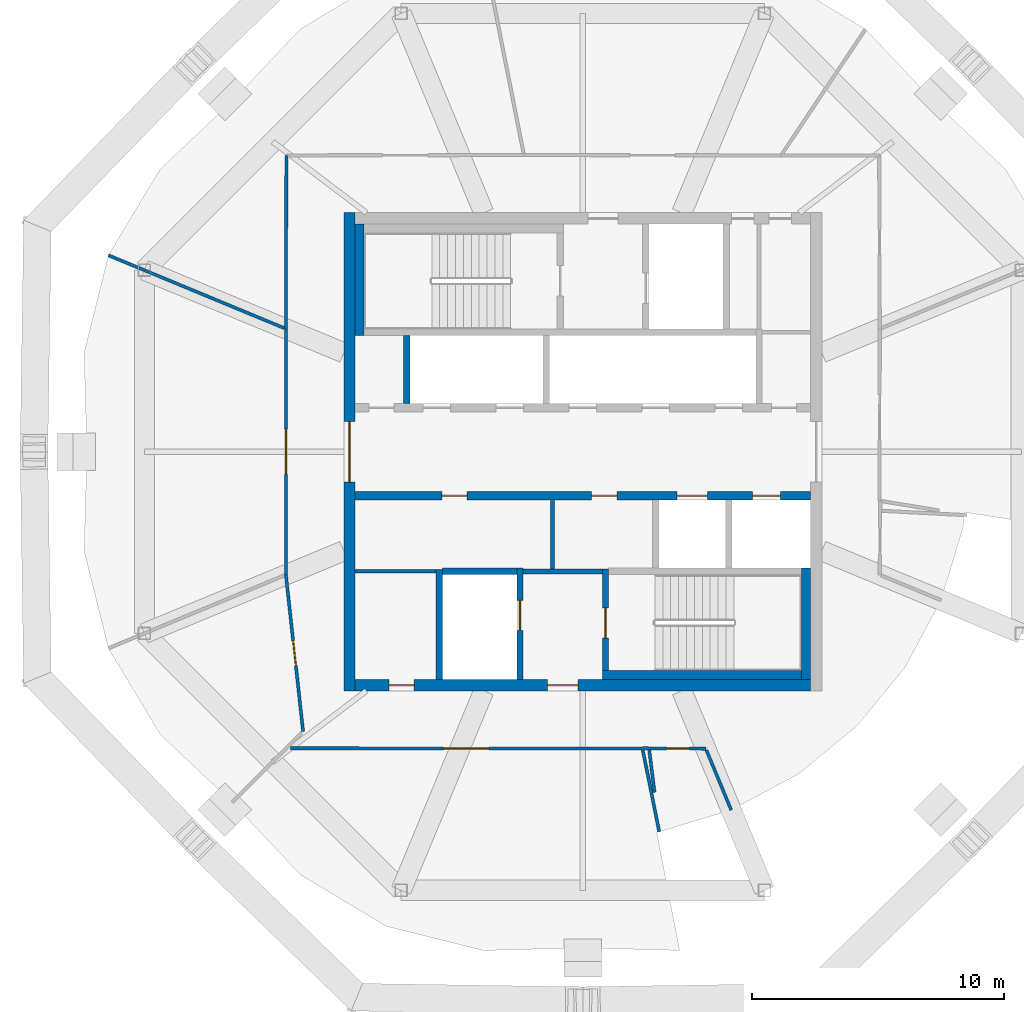
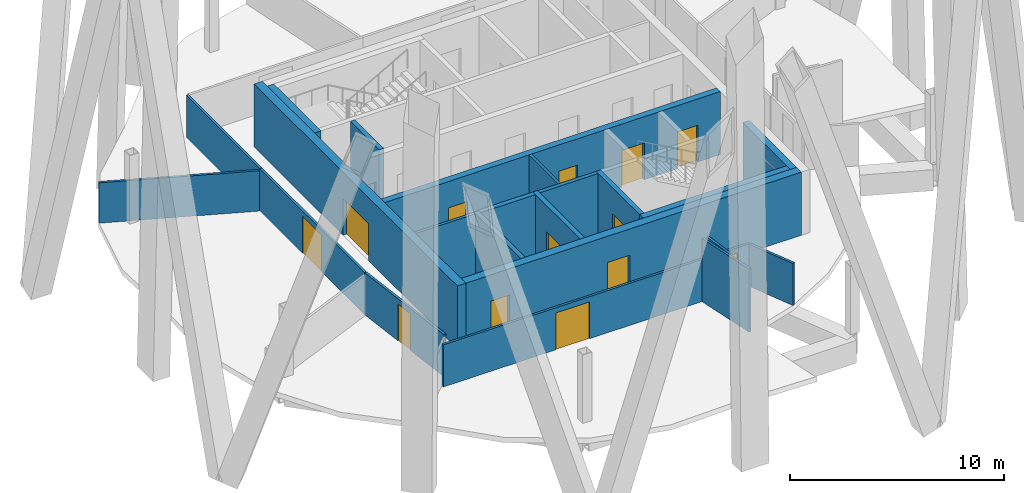
# One storey, part 4 of 11: 23 walls, 13 doors, 13 openings.
"""IFC4 building model written with IfcOpenShell, lengths in metres."""

from ifc_helpers import new_model, si_unit, direction, frame, frame_2d, origin, place, context, subcontext, project, spatial, rectangle, extrude, material, layer, layer_set, type_object, element, fill, save


model = new_model("IFC4")

# Units and contexts
model_context = context("Model", 3, precision=1e-05, world=origin(), true_north=direction((0.0, 1.0)))
body_context = subcontext(model_context, "Body", "Model", "MODEL_VIEW")
ifc_project = project(units=[si_unit("LENGTHUNIT", "METRE"), si_unit("AREAUNIT", "SQUARE_METRE"), si_unit("VOLUMEUNIT", "CUBIC_METRE"), si_unit("PLANEANGLEUNIT", "RADIAN"), si_unit("MASSUNIT", "GRAM", prefix="KILO")], contexts=[model_context])

# Site, building, storey
site_placement = place(None, origin())
site = spatial("IfcSite", under=ifc_project, at=site_placement, CompositionType="ELEMENT")
building_placement = place(site_placement, origin())
building = spatial("IfcBuilding", under=site, at=building_placement, Name="Ogive Gate Towers", CompositionType="ELEMENT")
storey_placement = place(building_placement, frame((0.0, 0.0, 244.5)))
storey = spatial("IfcBuildingStorey", under=building, at=storey_placement, Name="L58", CompositionType="ELEMENT", Elevation=244.5)

# Wall
ifc_material_1 = material(Name="Masonry blockwork", Category="masonry")
ifc_layer_1 = layer(ifc_material_1, 0.199951171875)
ifc_layer_set_1 = layer_set([ifc_layer_1], Name="Blockwork wall 200 mm")
wall_type_1 = type_object("IfcWallType", Name="Blockwork wall 200 mm", PredefinedType="PARTITIONING", material=ifc_layer_set_1)
wall_1_placement = place(storey_placement, frame((-38.375, -4.75, 0.0), z_axis=(0.0, 0.0, 1.0), x_axis=(1.0, 0.0, 0.0)))
element("IfcWall", 1, at=wall_1_placement, inside=storey, type_object=wall_type_1, Name="T1 L58 Blockwork wall 200 mm", PredefinedType="PARTITIONING", context=body_context, shape_type="SweptSolid", body=[
    extrude(rectangle(XDim=3.14990234375, YDim=0.199951171875, at=frame_2d((1.574951171875, 0.0))), origin(), (0.0, 0.0, 1.0), 3.60009765625),
])

# Wall, openings, doors
ifc_material_2 = material(Name="Concrete C60/75", Category="concrete")
ifc_layer_2 = layer(ifc_material_2, 0.449951171875)
ifc_layer_set_2 = layer_set([ifc_layer_2], Name="Core wall 450 mm")
wall_type_2 = type_object("IfcWallType", Name="Core wall 450 mm", PredefinedType="SHEAR", material=ifc_layer_set_2)
wall_2_placement = place(storey_placement, frame((-45.050048828125, -9.27490234375, 0.0), z_axis=(0.0, 0.0, 1.0), x_axis=(1.0, 0.0, 0.0)))
wall_2 = element("IfcWall", 2, at=wall_2_placement, inside=storey, type_object=wall_type_2, Name="T1 L58 Core wall 450 mm", PredefinedType="SHEAR", context=body_context, shape_type="SweptSolid", body=[
    extrude(rectangle(XDim=18.10009765625, YDim=0.449951171875, at=frame_2d((9.050048828125, 0.0))), origin(), (0.0, 0.0, 1.0), 3.60009765625),
])
opening_1_placement = place(wall_2_placement, frame((7.64990234375, 0.0, 0.0)))
opening_1 = element("IfcOpeningElement", 3, at=opening_1_placement, cuts=wall_2, Name="Opening KD-T1-L58-19", PredefinedType="OPENING", context=body_context, shape_type="SweptSolid", body=[
    extrude(rectangle(XDim=1.199951171875, YDim=2.10009765625, at=frame_2d((0.60009765625, 1.050048828125))), frame((0.0, 0.23486328125, 0.0), z_axis=(0.0, -1.0, 0.0), x_axis=(1.0, 0.0, 0.0)), (0.0, 0.0, 1.0), 0.469970703125),
])
opening_2_placement = place(wall_2_placement, frame((1.35009765625, 0.0, 0.0)))
opening_2 = element("IfcOpeningElement", 4, at=opening_2_placement, cuts=wall_2, Name="Opening KD-T1-L58-22", PredefinedType="OPENING", context=body_context, shape_type="SweptSolid", body=[
    extrude(rectangle(XDim=1.0, YDim=2.10009765625, at=frame_2d((0.5, 1.050048828125))), frame((0.0, 0.23486328125, 0.0), z_axis=(0.0, -1.0, 0.0), x_axis=(1.0, 0.0, 0.0)), (0.0, 0.0, 1.0), 0.469970703125),
])
ifc_material_3 = material(Name="Timber door", Category="wood")
door_type_1 = type_object("IfcDoorType", Name="Accessible WC door 1000 x 2100", OperationType="NOTDEFINED", PredefinedType="DOOR", material=ifc_material_3)
door_1_placement = place(opening_2_placement, origin())
door_1 = element("IfcDoor", 5, at=door_1_placement, inside=storey, type_object=door_type_1, Name="T1 L58 Core door", OperationType="SINGLE_SWING_LEFT", OverallHeight=2.10009765625, OverallWidth=1.0, PredefinedType="DOOR", context=body_context, shape_type="SweptSolid", body=[
    extrude(rectangle(XDim=1.0, YDim=2.10009765625, at=frame_2d((0.5, 1.050048828125))), frame((0.0, 0.02490234375, 0.0), z_axis=(0.0, -1.0, 0.0), x_axis=(1.0, 0.0, 0.0)), (0.0, 0.0, 1.0), 0.050048828125),
])
fill(opening_2, door_1)
ifc_material_4 = material(Name="Steel fire door", Category="steel")
door_type_2 = type_object("IfcDoorType", Name="Core door FD60S 1200 x 2100", OperationType="NOTDEFINED", PredefinedType="DOOR", material=ifc_material_4)
door_2_placement = place(opening_1_placement, origin())
door_2 = element("IfcDoor", 6, at=door_2_placement, inside=storey, type_object=door_type_2, Name="T1 L58 Fire-fighting lobby door", OperationType="SINGLE_SWING_RIGHT", OverallHeight=2.10009765625, OverallWidth=1.199951171875, PredefinedType="DOOR", context=body_context, shape_type="SweptSolid", body=[
    extrude(rectangle(XDim=1.199951171875, YDim=2.10009765625, at=frame_2d((0.60009765625, 1.050048828125))), frame((0.0, 0.02490234375, 0.0), z_axis=(0.0, -1.0, 0.0), x_axis=(1.0, 0.0, 0.0)), (0.0, 0.0, 1.0), 0.050048828125),
])
fill(opening_1, door_2)

# Wall, opening, door
wall_3_placement = place(storey_placement, frame((-45.27490234375, -9.5, 0.0), z_axis=(0.0, 0.0, 1.0), x_axis=(0.0, 1.0, 0.0)))
wall_3 = element("IfcWall", 7, at=wall_3_placement, inside=storey, type_object=wall_type_2, Name="T1 L58 Core wall 450 mm", PredefinedType="SHEAR", context=body_context, shape_type="SweptSolid", body=[
    extrude(rectangle(XDim=19.0, YDim=0.449951171875, at=frame_2d((9.5, 0.0))), origin(), (0.0, 0.0, 1.0), 3.60009765625),
])
opening_3_placement = place(wall_3_placement, frame((8.300048828125, 0.0, 0.0)))
opening_3 = element("IfcOpeningElement", 8, at=opening_3_placement, cuts=wall_3, Name="Opening KD-T1-L58-01", PredefinedType="OPENING", context=body_context, shape_type="SweptSolid", body=[
    extrude(rectangle(XDim=2.39990234375, YDim=2.10009765625, at=frame_2d((1.199951171875, 1.050048828125))), frame((0.0, 0.23486328125, 0.0), z_axis=(0.0, -1.0, 0.0), x_axis=(1.0, 0.0, 0.0)), (0.0, 0.0, 1.0), 0.469970703125),
])
door_type_3 = type_object("IfcDoorType", Name="Core double door FD60S 2400 x 2100", OperationType="DOUBLE_DOOR_SINGLE_SWING", PredefinedType="DOOR", material=ifc_material_4)
door_3_placement = place(opening_3_placement, origin())
door_3 = element("IfcDoor", 9, at=door_3_placement, inside=storey, type_object=door_type_3, Name="T1 L58 Core door double", OperationType="DOUBLE_DOOR_SINGLE_SWING", OverallHeight=2.10009765625, OverallWidth=2.39990234375, PredefinedType="DOOR", context=body_context, shape_type="SweptSolid", body=[
    extrude(rectangle(XDim=2.39990234375, YDim=2.10009765625, at=frame_2d((1.199951171875, 1.050048828125))), frame((0.0, 0.02490234375, 0.0), z_axis=(0.0, -1.0, 0.0), x_axis=(1.0, 0.0, 0.0)), (0.0, 0.0, 1.0), 0.050048828125),
])
fill(opening_3, door_3)

# Walls
ifc_material_5 = material(Name="Gypsum board partition")
ifc_layer_3 = layer(ifc_material_5, 0.125)
ifc_layer_set_3 = layer_set([ifc_layer_3], Name="Partition 125")
wall_type_3 = type_object("IfcWallType", Name="Partition 125", PredefinedType="PARTITIONING", material=ifc_layer_set_3)
wall_4_placement = place(storey_placement, frame((-54.8564453125, 7.810546875, 0.0), z_axis=(0.0, 0.0, 1.0), x_axis=(0.923878587447, -0.382685713945, 0.0)))
element("IfcWall", 10, at=wall_4_placement, inside=storey, type_object=wall_type_3, Name="Partition T1-L58-004", PredefinedType="PARTITIONING", context=body_context, shape_type="SweptSolid", body=[
    extrude(rectangle(XDim=7.576416015625, YDim=0.125, at=frame_2d((3.7880859375, 0.0))), origin(), (0.0, 0.0, 1.0), 2.300048828125),
])
wall_5_placement = place(storey_placement, frame((-32.962890625, -15.10400390625, 0.0), z_axis=(0.0, 0.0, 1.0), x_axis=(-0.197132233562, 0.980376908383, 0.0)))
element("IfcWall", 11, at=wall_5_placement, inside=storey, type_object=wall_type_3, Name="Partition T1-L58-007", PredefinedType="PARTITIONING", context=body_context, shape_type="SweptSolid", body=[
    extrude(rectangle(XDim=3.326416015625, YDim=0.125, at=frame_2d((1.6630859375, 0.0))), origin(), (0.0, 0.0, 1.0), 3.60009765625),
])
wall_6_placement = place(storey_placement, frame((-33.151123046875, -13.53076171875, 0.0), z_axis=(0.0, 0.0, 1.0), x_axis=(-0.123553948047, 0.992337856741, 0.0)))
element("IfcWall", 12, at=wall_6_placement, inside=storey, type_object=wall_type_3, Name="Partition T1-L58-008", PredefinedType="PARTITIONING", context=body_context, shape_type="SweptSolid", body=[
    extrude(rectangle(XDim=1.6875, YDim=0.125, at=frame_2d((0.84375, 0.0))), origin(), (0.0, 0.0, 1.0), 3.60009765625),
])
wall_7_placement = place(storey_placement, frame((-30.10302734375, -14.236572265625, 0.0), z_axis=(0.0, 0.0, 1.0), x_axis=(-0.382717220603, 0.923865536241, 0.0)))
element("IfcWall", 13, at=wall_7_placement, inside=storey, type_object=wall_type_3, Name="Partition T1-L58-009", PredefinedType="PARTITIONING", context=body_context, shape_type="SweptSolid", body=[
    extrude(rectangle(XDim=2.576416015625, YDim=0.125, at=frame_2d((1.2880859375, 0.0))), origin(), (0.0, 0.0, 1.0), 2.39990234375),
])

# Wall, opening, door
wall_8_placement = place(storey_placement, frame((-31.113037109375, -11.79833984375, 0.0), z_axis=(0.0, 0.0, 1.0), x_axis=(-0.999977623129, 0.006689786309, 0.0)))
wall_8 = element("IfcWall", 14, at=wall_8_placement, inside=storey, type_object=wall_type_3, Name="Partition T1-L58-014", PredefinedType="PARTITIONING", context=body_context, shape_type="SweptSolid", body=[
    extrude(rectangle(XDim=2.51806640625, YDim=0.125, at=frame_2d((1.259033203125, 0.0))), origin(), (0.0, 0.0, 1.0), 2.39990234375),
])
opening_4_placement = place(wall_8_placement, frame((0.656982421875, 0.0, 0.0)))
opening_4 = element("IfcOpeningElement", 15, at=opening_4_placement, cuts=wall_8, Name="Opening T1-L58-D02", PredefinedType="OPENING", context=body_context, shape_type="SweptSolid", body=[
    extrude(rectangle(XDim=0.89990234375, YDim=2.10009765625, at=frame_2d((0.449951171875, 1.050048828125))), frame((0.0, 0.072509765625, 0.0), z_axis=(0.0, -1.0, 0.0), x_axis=(1.0, 0.0, 0.0)), (0.0, 0.0, 1.0), 0.14501953125),
])
door_type_4 = type_object("IfcDoorType", Name="Door 900", OperationType="NOTDEFINED", PredefinedType="DOOR", material=ifc_material_3)
door_4_placement = place(opening_4_placement, origin())
door_4 = element("IfcDoor", 16, at=door_4_placement, inside=storey, type_object=door_type_4, Name="Door T1-L58-D02", OperationType="SINGLE_SWING_LEFT", OverallHeight=2.10009765625, OverallWidth=0.89990234375, PredefinedType="DOOR", context=body_context, shape_type="SweptSolid", body=[
    extrude(rectangle(XDim=0.89990234375, YDim=2.10009765625, at=frame_2d((0.449951171875, 1.050048828125))), frame((0.0, 0.02490234375, 0.0), z_axis=(0.0, -1.0, 0.0), x_axis=(1.0, 0.0, 0.0)), (0.0, 0.0, 1.0), 0.050048828125),
])
fill(opening_4, door_4)

wall_9_placement = place(storey_placement, frame((-33.641357421875, -11.794921875, 0.0), z_axis=(0.0, 0.0, 1.0), x_axis=(-0.999999450889, 0.001047961139, 0.0)))
wall_9 = element("IfcWall", 17, at=wall_9_placement, inside=storey, type_object=wall_type_3, Name="Partition T1-L58-015", PredefinedType="PARTITIONING", context=body_context, shape_type="SweptSolid", body=[
    extrude(rectangle(XDim=13.97802734375, YDim=0.125, at=frame_2d((6.989013671875, 0.0))), origin(), (0.0, 0.0, 1.0), 2.39990234375),
])
opening_5_placement = place(wall_9_placement, frame((6.093017578125, 0.0, 0.0)))
opening_5 = element("IfcOpeningElement", 18, at=opening_5_placement, cuts=wall_9, Name="Opening T1-L58-D03", PredefinedType="OPENING", context=body_context, shape_type="SweptSolid", body=[
    extrude(rectangle(XDim=1.800048828125, YDim=2.10009765625, at=frame_2d((0.89990234375, 1.050048828125))), frame((0.0, 0.072509765625, 0.0), z_axis=(0.0, -1.0, 0.0), x_axis=(1.0, 0.0, 0.0)), (0.0, 0.0, 1.0), 0.14501953125),
])
door_type_5 = type_object("IfcDoorType", Name="Door pair 1800", OperationType="NOTDEFINED", PredefinedType="DOOR", material=ifc_material_3)
door_5_placement = place(opening_5_placement, origin())
door_5 = element("IfcDoor", 19, at=door_5_placement, inside=storey, type_object=door_type_5, Name="Door T1-L58-D03", OperationType="DOUBLE_DOOR_DOUBLE_SWING", OverallHeight=2.10009765625, OverallWidth=1.800048828125, PredefinedType="DOOR", context=body_context, shape_type="SweptSolid", body=[
    extrude(rectangle(XDim=1.800048828125, YDim=2.10009765625, at=frame_2d((0.89990234375, 1.050048828125))), frame((0.0, 0.02490234375, 0.0), z_axis=(0.0, -1.0, 0.0), x_axis=(1.0, 0.0, 0.0)), (0.0, 0.0, 1.0), 0.050048828125),
])
fill(opening_5, door_5)

wall_10_placement = place(storey_placement, frame((-47.11572265625, -11.11572265625, 0.0), z_axis=(0.0, 0.0, 1.0), x_axis=(-0.10905867218, 0.994035314273, 0.0)))
wall_10 = element("IfcWall", 20, at=wall_10_placement, inside=storey, type_object=wall_type_3, Name="Partition T1-L58-016", PredefinedType="PARTITIONING", context=body_context, shape_type="SweptSolid", body=[
    extrude(rectangle(XDim=6.265869140625, YDim=0.125, at=frame_2d((3.1328125, 0.0))), origin(), (0.0, 0.0, 1.0), 2.39990234375),
])
opening_6_placement = place(wall_10_placement, frame((2.633056640625, 0.0, 0.0)))
opening_6 = element("IfcOpeningElement", 21, at=opening_6_placement, cuts=wall_10, Name="Opening T1-L58-D04", PredefinedType="OPENING", context=body_context, shape_type="SweptSolid", body=[
    extrude(rectangle(XDim=1.0, YDim=2.10009765625, at=frame_2d((0.5, 1.050048828125))), frame((0.0, 0.072509765625, 0.0), z_axis=(0.0, -1.0, 0.0), x_axis=(1.0, 0.0, 0.0)), (0.0, 0.0, 1.0), 0.14501953125),
])
door_type_6 = type_object("IfcDoorType", Name="Door 1000", OperationType="NOTDEFINED", PredefinedType="DOOR", material=ifc_material_3)
door_6_placement = place(opening_6_placement, origin())
door_6 = element("IfcDoor", 22, at=door_6_placement, inside=storey, type_object=door_type_6, Name="Door T1-L58-D04", OperationType="SINGLE_SWING_LEFT", OverallHeight=2.10009765625, OverallWidth=1.0, PredefinedType="DOOR", context=body_context, shape_type="SweptSolid", body=[
    extrude(rectangle(XDim=1.0, YDim=2.10009765625, at=frame_2d((0.5, 1.050048828125))), frame((0.0, 0.02490234375, 0.0), z_axis=(0.0, -1.0, 0.0), x_axis=(1.0, 0.0, 0.0)), (0.0, 0.0, 1.0), 0.050048828125),
])
fill(opening_6, door_6)

wall_11_placement = place(storey_placement, frame((-47.799072265625, -4.88720703125, 0.0), z_axis=(0.0, 0.0, 1.0), x_axis=(0.0, 1.0, 0.0)))
wall_11 = element("IfcWall", 23, at=wall_11_placement, inside=storey, type_object=wall_type_3, Name="Partition T1-L58-017", PredefinedType="PARTITIONING", context=body_context, shape_type="SweptSolid", body=[
    extrude(rectangle(XDim=9.7744140625, YDim=0.125, at=frame_2d((4.88720703125, 0.0))), origin(), (0.0, 0.0, 1.0), 2.39990234375),
])
opening_7_placement = place(wall_11_placement, frame((3.987060546875, 0.0, 0.0)))
opening_7 = element("IfcOpeningElement", 24, at=opening_7_placement, cuts=wall_11, Name="Opening T1-L58-D05", PredefinedType="OPENING", context=body_context, shape_type="SweptSolid", body=[
    extrude(rectangle(XDim=1.800048828125, YDim=2.10009765625, at=frame_2d((0.89990234375, 1.050048828125))), frame((0.0, 0.072509765625, 0.0), z_axis=(0.0, -1.0, 0.0), x_axis=(1.0, 0.0, 0.0)), (0.0, 0.0, 1.0), 0.14501953125),
])
door_7_placement = place(opening_7_placement, origin())
door_7 = element("IfcDoor", 25, at=door_7_placement, inside=storey, type_object=door_type_5, Name="Door T1-L58-D05", OperationType="DOUBLE_DOOR_DOUBLE_SWING", OverallHeight=2.10009765625, OverallWidth=1.800048828125, PredefinedType="DOOR", context=body_context, shape_type="SweptSolid", body=[
    extrude(rectangle(XDim=1.800048828125, YDim=2.10009765625, at=frame_2d((0.89990234375, 1.050048828125))), frame((0.0, 0.02490234375, 0.0), z_axis=(0.0, -1.0, 0.0), x_axis=(1.0, 0.0, 0.0)), (0.0, 0.0, 1.0), 0.050048828125),
])
fill(opening_7, door_7)

# Walls
wall_12_placement = place(storey_placement, frame((-47.799072265625, 4.88720703125, 0.0), z_axis=(0.0, 0.0, 1.0), x_axis=(0.002762713928, 0.999996183699, 0.0)))
element("IfcWall", 26, at=wall_12_placement, inside=storey, type_object=wall_type_3, Name="Partition T1-L58-019", PredefinedType="PARTITIONING", context=body_context, shape_type="SweptSolid", body=[
    extrude(rectangle(XDim=6.892822265625, YDim=0.125, at=frame_2d((3.4462890625, 0.0))), origin(), (0.0, 0.0, 1.0), 2.39990234375),
])
ifc_layer_4 = layer(ifc_material_5, 0.14990234375)
ifc_layer_set_4 = layer_set([ifc_layer_4], Name="Room partition 150 mm")
wall_type_4 = type_object("IfcWallType", Name="Room partition 150 mm", PredefinedType="PARTITIONING", material=ifc_layer_set_4)
wall_13_placement = place(storey_placement, frame((-45.050048828125, -4.75, 0.0), z_axis=(0.0, 0.0, 1.0), x_axis=(1.0, 0.0, 0.0)))
element("IfcWall", 27, at=wall_13_placement, inside=storey, type_object=wall_type_4, Name="T1 L58 Room partition 150 mm", PredefinedType="PARTITIONING", context=body_context, shape_type="SweptSolid", body=[
    extrude(rectangle(XDim=3.22509765625, YDim=0.14990234375, at=frame_2d((1.612548828125, 0.0))), origin(), (0.0, 0.0, 1.0), 3.60009765625),
])
wall_14_placement = place(storey_placement, frame((-37.199951171875, -4.64990234375, 0.0), z_axis=(0.0, 0.0, 1.0), x_axis=(0.0, 1.0, 0.0)))
element("IfcWall", 28, at=wall_14_placement, inside=storey, type_object=wall_type_4, Name="T1 L58 Room partition 150 mm", PredefinedType="PARTITIONING", context=body_context, shape_type="SweptSolid", body=[
    extrude(rectangle(XDim=2.724853515625, YDim=0.14990234375, at=frame_2d((1.3623046875, 0.0))), origin(), (0.0, 0.0, 1.0), 3.60009765625),
])
ifc_layer_5 = layer(ifc_material_2, 0.25)
ifc_layer_set_5 = layer_set([ifc_layer_5], Name="Shaft wall 250 mm")
wall_type_5 = type_object("IfcWallType", Name="Shaft wall 250 mm", PredefinedType="SHEAR", material=ifc_layer_set_5)
wall_15_placement = place(storey_placement, frame((-41.574951171875, -4.75, 0.0), z_axis=(0.0, 0.0, 1.0), x_axis=(1.0, 0.0, 0.0)))
element("IfcWall", 29, at=wall_15_placement, inside=storey, type_object=wall_type_5, Name="T1 L58 Shaft wall 250 mm", PredefinedType="SHEAR", context=body_context, shape_type="SweptSolid", body=[
    extrude(rectangle(XDim=2.949951171875, YDim=0.25, at=frame_2d((1.47509765625, 0.0))), origin(), (0.0, 0.0, 1.0), 3.60009765625),
])
wall_16_placement = place(storey_placement, frame((-43.0, 1.925048828125, 0.0), z_axis=(0.0, 0.0, 1.0), x_axis=(0.0, 1.0, 0.0)))
element("IfcWall", 30, at=wall_16_placement, inside=storey, type_object=wall_type_5, Name="T1 L58 Shaft wall 250 mm", PredefinedType="SHEAR", context=body_context, shape_type="SweptSolid", body=[
    extrude(rectangle(XDim=2.699951171875, YDim=0.25, at=frame_2d((1.35009765625, 0.0))), origin(), (0.0, 0.0, 1.0), 3.60009765625),
])
wall_17_placement = place(storey_placement, frame((-41.699951171875, -9.050048828125, 0.0), z_axis=(0.0, 0.0, 1.0), x_axis=(0.0, 1.0, 0.0)))
element("IfcWall", 31, at=wall_17_placement, inside=storey, type_object=wall_type_5, Name="T1 L58 Shaft wall 250 mm", PredefinedType="SHEAR", context=body_context, shape_type="SweptSolid", body=[
    extrude(rectangle(XDim=4.375, YDim=0.25, at=frame_2d((2.1875, 0.0))), origin(), (0.0, 0.0, 1.0), 3.60009765625),
])

# Wall, opening, door
wall_18_placement = place(storey_placement, frame((-38.5, -9.050048828125, 0.0), z_axis=(0.0, 0.0, 1.0), x_axis=(0.0, 1.0, 0.0)))
wall_18 = element("IfcWall", 32, at=wall_18_placement, inside=storey, type_object=wall_type_5, Name="T1 L58 Shaft wall 250 mm", PredefinedType="SHEAR", context=body_context, shape_type="SweptSolid", body=[
    extrude(rectangle(XDim=4.425048828125, YDim=0.25, at=frame_2d((2.21240234375, 0.0))), origin(), (0.0, 0.0, 1.0), 3.60009765625),
])
opening_8_placement = place(wall_18_placement, frame((1.949951171875, 0.0, 0.0)))
opening_8 = element("IfcOpeningElement", 33, at=opening_8_placement, cuts=wall_18, Name="Opening LD-T1-L58-13", PredefinedType="OPENING", context=body_context, shape_type="SweptSolid", body=[
    extrude(rectangle(XDim=1.199951171875, YDim=2.10009765625, at=frame_2d((0.60009765625, 1.050048828125))), frame((0.0, 0.135009765625, 0.0), z_axis=(0.0, -1.0, 0.0), x_axis=(1.0, 0.0, 0.0)), (0.0, 0.0, 1.0), 0.27001953125),
])
ifc_material_6 = material(Name="Stainless steel landing door", Category="steel")
door_type_7 = type_object("IfcDoorType", Name="Landing door 1200 x 2100", OperationType="SLIDING_TO_LEFT", PredefinedType="DOOR", material=ifc_material_6)
door_8_placement = place(opening_8_placement, origin())
door_8 = element("IfcDoor", 34, at=door_8_placement, inside=storey, type_object=door_type_7, Name="T1 L58 Lift landing door FF2", OperationType="SLIDING_TO_LEFT", OverallHeight=2.10009765625, OverallWidth=1.199951171875, PredefinedType="DOOR", context=body_context, shape_type="SweptSolid", body=[
    extrude(rectangle(XDim=1.199951171875, YDim=2.10009765625, at=frame_2d((0.60009765625, 1.050048828125))), frame((0.0, 0.02490234375, 0.0), z_axis=(0.0, -1.0, 0.0), x_axis=(1.0, 0.0, 0.0)), (0.0, 0.0, 1.0), 0.050048828125),
])
fill(opening_8, door_8)

wall_19_placement = place(storey_placement, frame((-35.10009765625, -8.699951171875, 0.0), z_axis=(0.0, 0.0, 1.0), x_axis=(0.0, 1.0, 0.0)))
wall_19 = element("IfcWall", 35, at=wall_19_placement, inside=storey, type_object=wall_type_5, Name="T1 L58 Shaft wall 250 mm", PredefinedType="SHEAR", context=body_context, shape_type="SweptSolid", body=[
    extrude(rectangle(XDim=4.050048828125, YDim=0.25, at=frame_2d((2.02490234375, 0.0))), origin(), (0.0, 0.0, 1.0), 3.60009765625),
])
opening_9_placement = place(wall_19_placement, frame((1.300048828125, 0.0, 0.0)))
opening_9 = element("IfcOpeningElement", 36, at=opening_9_placement, cuts=wall_19, Name="Opening KD-T1-L58-17", PredefinedType="OPENING", context=body_context, shape_type="SweptSolid", body=[
    extrude(rectangle(XDim=1.199951171875, YDim=2.10009765625, at=frame_2d((0.60009765625, 1.050048828125))), frame((0.0, 0.135009765625, 0.0), z_axis=(0.0, -1.0, 0.0), x_axis=(1.0, 0.0, 0.0)), (0.0, 0.0, 1.0), 0.27001953125),
])
door_9_placement = place(opening_9_placement, origin())
door_9 = element("IfcDoor", 37, at=door_9_placement, inside=storey, type_object=door_type_2, Name="T1 L58 Stair door", OperationType="SINGLE_SWING_RIGHT", OverallHeight=2.10009765625, OverallWidth=1.199951171875, PredefinedType="DOOR", context=body_context, shape_type="SweptSolid", body=[
    extrude(rectangle(XDim=1.199951171875, YDim=2.10009765625, at=frame_2d((0.60009765625, 1.050048828125))), frame((0.0, 0.02490234375, 0.0), z_axis=(0.0, -1.0, 0.0), x_axis=(1.0, 0.0, 0.0)), (0.0, 0.0, 1.0), 0.050048828125),
])
fill(opening_9, door_9)

# Wall, openings, doors
ifc_layer_6 = layer(ifc_material_2, 0.35009765625)
ifc_layer_set_6 = layer_set([ifc_layer_6], Name="Spine wall 350 mm")
wall_type_6 = type_object("IfcWallType", Name="Spine wall 350 mm", PredefinedType="SHEAR", material=ifc_layer_set_6)
wall_20_placement = place(storey_placement, frame((-45.050048828125, -1.75, 0.0), z_axis=(0.0, 0.0, 1.0), x_axis=(1.0, 0.0, 0.0)))
wall_20 = element("IfcWall", 38, at=wall_20_placement, inside=storey, type_object=wall_type_6, Name="T1 L58 Spine wall 350 mm", PredefinedType="SHEAR", context=body_context, shape_type="SweptSolid", body=[
    extrude(rectangle(XDim=18.10009765625, YDim=0.35009765625, at=frame_2d((9.050048828125, 0.0))), origin(), (0.0, 0.0, 1.0), 3.60009765625),
])
opening_10_placement = place(wall_20_placement, frame((12.800048828125, 0.0, 0.0)))
opening_10 = element("IfcOpeningElement", 39, at=opening_10_placement, cuts=wall_20, Name="Opening LD-T1-L58-10", PredefinedType="OPENING", context=body_context, shape_type="SweptSolid", body=[
    extrude(rectangle(XDim=1.199951171875, YDim=2.10009765625, at=frame_2d((0.60009765625, 1.050048828125))), frame((0.0, 0.18505859375, 0.0), z_axis=(0.0, -1.0, 0.0), x_axis=(1.0, 0.0, 0.0)), (0.0, 0.0, 1.0), 0.3701171875),
])
opening_11_placement = place(wall_20_placement, frame((15.800048828125, 0.0, 0.0)))
opening_11 = element("IfcOpeningElement", 40, at=opening_11_placement, cuts=wall_20, Name="Opening LD-T1-L58-11", PredefinedType="OPENING", context=body_context, shape_type="SweptSolid", body=[
    extrude(rectangle(XDim=1.10009765625, YDim=2.10009765625, at=frame_2d((0.550048828125, 1.050048828125))), frame((0.0, 0.18505859375, 0.0), z_axis=(0.0, -1.0, 0.0), x_axis=(1.0, 0.0, 0.0)), (0.0, 0.0, 1.0), 0.3701171875),
])
opening_12_placement = place(wall_20_placement, frame((3.449951171875, 0.0, 0.0)))
opening_12 = element("IfcOpeningElement", 41, at=opening_12_placement, cuts=wall_20, Name="Opening KD-T1-L58-14", PredefinedType="OPENING", context=body_context, shape_type="SweptSolid", body=[
    extrude(rectangle(XDim=1.0, YDim=2.10009765625, at=frame_2d((0.5, 1.050048828125))), frame((0.0, 0.18505859375, 0.0), z_axis=(0.0, -1.0, 0.0), x_axis=(1.0, 0.0, 0.0)), (0.0, 0.0, 1.0), 0.3701171875),
])
opening_13_placement = place(wall_20_placement, frame((9.39990234375, 0.0, 0.0)))
opening_13 = element("IfcOpeningElement", 42, at=opening_13_placement, cuts=wall_20, Name="Opening KD-T1-L58-15", PredefinedType="OPENING", context=body_context, shape_type="SweptSolid", body=[
    extrude(rectangle(XDim=1.0, YDim=2.10009765625, at=frame_2d((0.5, 1.050048828125))), frame((0.0, 0.18505859375, 0.0), z_axis=(0.0, -1.0, 0.0), x_axis=(1.0, 0.0, 0.0)), (0.0, 0.0, 1.0), 0.3701171875),
])
door_type_8 = type_object("IfcDoorType", Name="Core door FD60S 1000 x 2100", OperationType="NOTDEFINED", PredefinedType="DOOR", material=ifc_material_4)
door_10_placement = place(opening_12_placement, origin())
door_10 = element("IfcDoor", 43, at=door_10_placement, inside=storey, type_object=door_type_8, Name="T1 L58 Core door", OperationType="SINGLE_SWING_LEFT", OverallHeight=2.10009765625, OverallWidth=1.0, PredefinedType="DOOR", context=body_context, shape_type="SweptSolid", body=[
    extrude(rectangle(XDim=1.0, YDim=2.10009765625, at=frame_2d((0.5, 1.050048828125))), frame((0.0, 0.02490234375, 0.0), z_axis=(0.0, -1.0, 0.0), x_axis=(1.0, 0.0, 0.0)), (0.0, 0.0, 1.0), 0.050048828125),
])
fill(opening_12, door_10)
door_11_placement = place(opening_13_placement, origin())
door_11 = element("IfcDoor", 44, at=door_11_placement, inside=storey, type_object=door_type_8, Name="T1 L58 Core door", OperationType="SINGLE_SWING_RIGHT", OverallHeight=2.10009765625, OverallWidth=1.0, PredefinedType="DOOR", context=body_context, shape_type="SweptSolid", body=[
    extrude(rectangle(XDim=1.0, YDim=2.10009765625, at=frame_2d((0.5, 1.050048828125))), frame((0.0, 0.02490234375, 0.0), z_axis=(0.0, -1.0, 0.0), x_axis=(1.0, 0.0, 0.0)), (0.0, 0.0, 1.0), 0.050048828125),
])
fill(opening_13, door_11)
door_type_9 = type_object("IfcDoorType", Name="Landing door 1100 x 2100", OperationType="SLIDING_TO_LEFT", PredefinedType="DOOR", material=ifc_material_6)
door_12_placement = place(opening_11_placement, origin())
door_12 = element("IfcDoor", 45, at=door_12_placement, inside=storey, type_object=door_type_9, Name="T1 L58 Lift landing door B6", OperationType="SLIDING_TO_LEFT", OverallHeight=2.10009765625, OverallWidth=1.10009765625, PredefinedType="DOOR", context=body_context, shape_type="SweptSolid", body=[
    extrude(rectangle(XDim=1.10009765625, YDim=2.10009765625, at=frame_2d((0.550048828125, 1.050048828125))), frame((0.0, 0.02490234375, 0.0), z_axis=(0.0, -1.0, 0.0), x_axis=(1.0, 0.0, 0.0)), (0.0, 0.0, 1.0), 0.050048828125),
])
fill(opening_11, door_12)
door_13_placement = place(opening_10_placement, origin())
door_13 = element("IfcDoor", 46, at=door_13_placement, inside=storey, type_object=door_type_7, Name="T1 L58 Lift landing door SVC", OperationType="SLIDING_TO_LEFT", OverallHeight=2.10009765625, OverallWidth=1.199951171875, PredefinedType="DOOR", context=body_context, shape_type="SweptSolid", body=[
    extrude(rectangle(XDim=1.199951171875, YDim=2.10009765625, at=frame_2d((0.60009765625, 1.050048828125))), frame((0.0, 0.02490234375, 0.0), z_axis=(0.0, -1.0, 0.0), x_axis=(1.0, 0.0, 0.0)), (0.0, 0.0, 1.0), 0.050048828125),
])
fill(opening_10, door_13)

# Walls
ifc_layer_7 = layer(ifc_material_2, 0.35009765625)
ifc_layer_set_7 = layer_set([ifc_layer_7], Name="Stair wall 350 mm")
wall_type_7 = type_object("IfcWallType", Name="Stair wall 350 mm", PredefinedType="SHEAR", material=ifc_layer_set_7)
wall_21_placement = place(storey_placement, frame((-35.22509765625, -8.875, 0.0), z_axis=(0.0, 0.0, 1.0), x_axis=(1.0, 0.0, 0.0)))
element("IfcWall", 47, at=wall_21_placement, inside=storey, type_object=wall_type_7, Name="T1 L58 Stair wall 350 mm", PredefinedType="SHEAR", context=body_context, shape_type="SweptSolid", body=[
    extrude(rectangle(XDim=7.925048828125, YDim=0.35009765625, at=frame_2d((3.96240234375, 0.0))), origin(), (0.0, 0.0, 1.0), 3.60009765625),
])
for number, where, z_axis, x_axis, name in (
    (48, (-44.875, 4.625, 0.0), (0.0, 0.0, 1.0), (0.0, 1.0, 0.0), "T1 L58 Stair wall 350 mm"),
    (49, (-27.125, -9.050048828125, 0.0), (0.0, 0.0, 1.0), (0.0, 1.0, 0.0), "T1 L58 Stair wall 350 mm"),
):
    element("IfcWall", number, at=place(storey_placement, frame(where, z_axis=z_axis, x_axis=x_axis)), inside=storey, type_object=wall_type_7, Name=name, PredefinedType="SHEAR", context=body_context, shape_type="SweptSolid", body=[
        extrude(rectangle(XDim=4.425048828125, YDim=0.35009765625, at=frame_2d((2.21240234375, 0.0))), origin(), (0.0, 0.0, 1.0), 3.60009765625),
    ])

save(model, "model.ifc")
